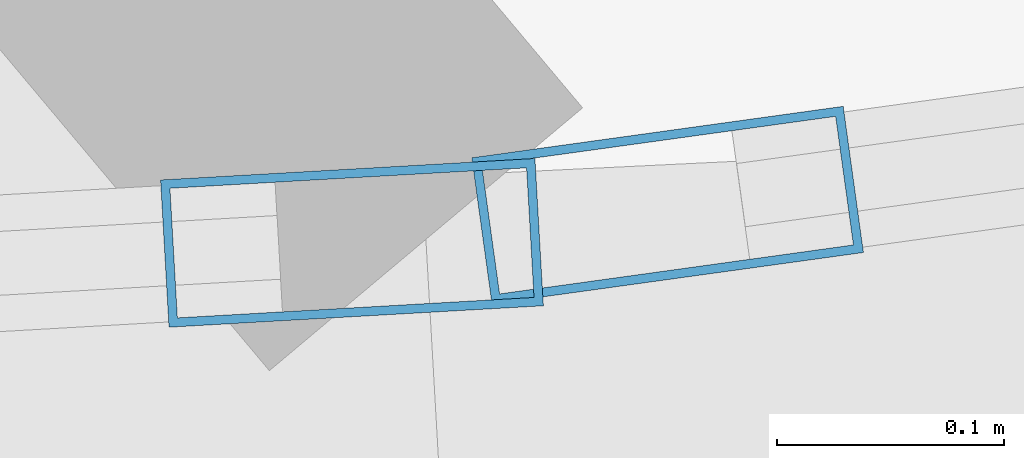
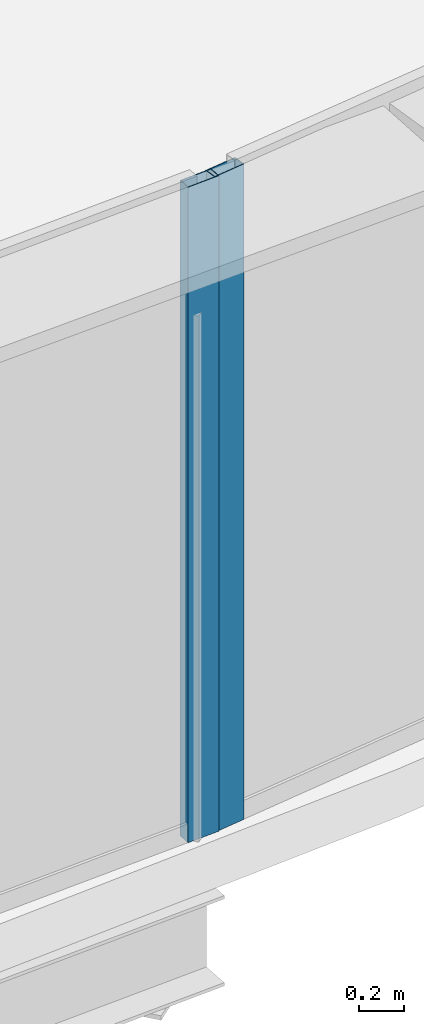
# One storey, part 12 of 36: 2 members, 2 elements without a shape of their own.
"""IFC4 building model written with IfcOpenShell, lengths in metres."""

from ifc_helpers import new_model, si_unit, direction, frame, origin, origin_2d, place, context, subcontext, project, spatial, hollow_rectangle, extrude, source, transform, mapped, material, layer, layer_set, material_profile, profile_set, type_object, element, aggregate, save


model = new_model("IFC4")

# Units and contexts
model_context = context("Model", 3, precision=1e-05, world=origin(), true_north=direction((0.0, 1.0)))
body_context = subcontext(model_context, "Body", "Model", "MODEL_VIEW")
ifc_project = project(units=[si_unit("LENGTHUNIT", "METRE"), si_unit("AREAUNIT", "SQUARE_METRE"), si_unit("VOLUMEUNIT", "CUBIC_METRE"), si_unit("PLANEANGLEUNIT", "RADIAN"), si_unit("MASSUNIT", "GRAM", prefix="KILO"), si_unit("THERMODYNAMICTEMPERATUREUNIT", "KELVIN"), si_unit("POWERUNIT", "WATT")], contexts=[model_context])

# Site, building, storey
site_placement = place(None, origin())
site = spatial("IfcSite", under=ifc_project, at=site_placement, CompositionType="ELEMENT")
building_placement = place(site_placement, origin())
building = spatial("IfcBuilding", under=site, at=building_placement, Name="Yunzhuo Pagoda Commons", CompositionType="ELEMENT")
storey_placement = place(building_placement, frame((0.0, 0.0, 103.97998046875)))
storey = spatial("IfcBuildingStorey", under=building, at=storey_placement, Name="L26", CompositionType="ELEMENT", Elevation=103.97998046875)

# Curtain wall, member
ifc_material = material(Name="Anodized aluminium 6063-T6", Category="aluminium")
ifc_layer = layer(ifc_material, 0.1650390625)
ifc_layer_set = layer_set([ifc_layer], Name="Anodized aluminium 6063-T6")
curtain_wall_type = type_object("IfcCurtainWallType", Name="CW-LOW Low-Zone Ribbon Curtain Wall", PredefinedType="NOTDEFINED", material=ifc_layer_set)
curtain_wall_1_placement = place(storey_placement, origin())
curtain_wall_1 = element("IfcCurtainWall", 1, at=curtain_wall_1_placement, inside=storey, type_object=curtain_wall_type, Name="L26 curtain wall CW-L26-F1B4", PredefinedType="NOTDEFINED")
ifc_material_profile = material_profile(ifc_material, hollow_rectangle(XDim=0.06494140625, YDim=0.1650390625, WallThickness=0.00390625, at=origin_2d()), Name="Anodized aluminium 6063-T6")
ifc_profile_set = profile_set([ifc_material_profile], Name="Anodized aluminium 6063-T6")
member_type = type_object("IfcMemberType", Name="CW-LOW-M Mullion RHS 165x65x4", PredefinedType="MULLION", material=ifc_profile_set)
shared_shape = source(origin(), body_context, "Body", "SweptSolid", [
    extrude(hollow_rectangle(XDim=0.06494140625, YDim=0.1650390625, WallThickness=0.00390625, at=origin_2d()), origin(), (0.0, 0.0, 1.0), 3.5400390625),
])
member_1_placement = place(storey_placement, frame((65.50390625, 12.799072265625, 0.000244140625), z_axis=(0.0, 0.0, 1.0), x_axis=(-0.057152816587, 0.998365441888, 0.0)))
member_1 = element("IfcMember", 2, at=member_1_placement, type_object=member_type, Name="CW mullion 2", PredefinedType="MULLION", context=body_context, shape_type="MappedRepresentation", body=[
    mapped(shared_shape, transform((0.0, 0.0, 0.0), scale=1.0)),
])
aggregate(curtain_wall_1, [member_1])

curtain_wall_2_placement = place(storey_placement, origin())
curtain_wall_2 = element("IfcCurtainWall", 3, at=curtain_wall_2_placement, inside=storey, type_object=curtain_wall_type, Name="L26 curtain wall CW-L26-F1B5", PredefinedType="NOTDEFINED")
member_2_placement = place(storey_placement, frame((65.642822265625, 12.815673828125, 0.000244140625), z_axis=(0.0, 0.0, 1.0), x_axis=(-0.137082225692, 0.990559671801, 0.0)))
member_2 = element("IfcMember", 4, at=member_2_placement, type_object=member_type, Name="CW mullion 1", PredefinedType="MULLION", context=body_context, shape_type="MappedRepresentation", body=[
    mapped(shared_shape, transform((0.0, 0.0, 0.0), scale=1.0)),
])
aggregate(curtain_wall_2, [member_2])

save(model, "model.ifc")
